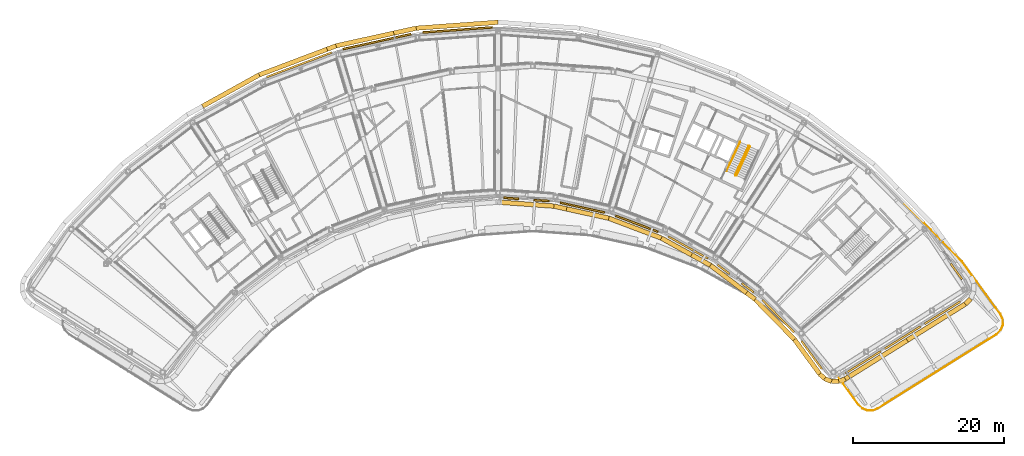
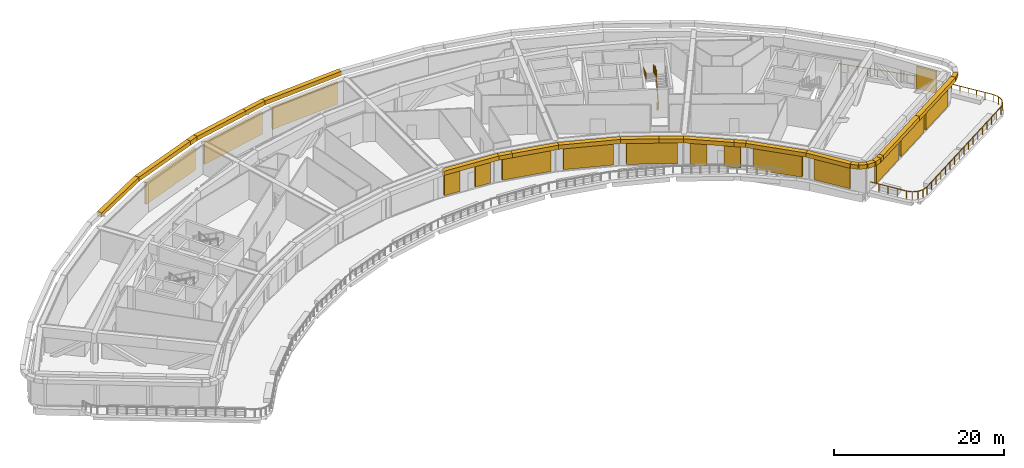
# One storey, part 21 of 24: 24 coverings, 16 shading devices, 3 railings.
"""IFC4 building model written with IfcOpenShell, lengths in metres."""

from ifc_helpers import new_model, si_unit, direction, frame, origin, origin_2d, place, context, subcontext, project, spatial, rectangle, circle, extrude, material, material_profile, profile_set, type_object, element, save


model = new_model("IFC4")

# Units and contexts
model_context = context("Model", 3, precision=1e-05, world=origin(), true_north=direction((0.0, 1.0)))
body_context = subcontext(model_context, "Body", "Model", "MODEL_VIEW")
ifc_project = project(units=[si_unit("LENGTHUNIT", "METRE"), si_unit("AREAUNIT", "SQUARE_METRE"), si_unit("VOLUMEUNIT", "CUBIC_METRE"), si_unit("PLANEANGLEUNIT", "RADIAN"), si_unit("MASSUNIT", "GRAM", prefix="KILO")], contexts=[model_context])

# Site, building, storey
site_placement = place(None, origin())
site = spatial("IfcSite", under=ifc_project, at=site_placement, CompositionType="ELEMENT")
building_placement = place(site_placement, origin())
building = spatial("IfcBuilding", under=site, at=building_placement, Name="Tuul Gate Civic Tower", CompositionType="ELEMENT")
storey_placement = place(building_placement, frame((0.0, 0.0, 315.199951171875)))
storey = spatial("IfcBuildingStorey", under=building, at=storey_placement, Name="Plant and refuge floor 7", CompositionType="ELEMENT", Elevation=315.199951171875)

# Shading devices
ifc_material_1 = material(Name="Aluminium louvre", Category="aluminium")
shading_device_type = type_object("IfcShadingDeviceType", Name="Louvre panel", PredefinedType="USERDEFINED", material=ifc_material_1)
for number, where, z_axis, x_axis, name in (
    (1, (-3.174072265625, 14.015625, 0.300048828125), (0.0, 0.0, 1.0), (-0.07223936563, 0.997387323989, 0.0), "Louvre panel"),
    (2, (-13.79443359375, 12.468994140625, 0.300048828125), (0.0, 0.0, 1.0), (-0.215215147882, 0.976566659334, 0.0), "Louvre panel"),
    (3, (-24.081298828125, 9.407958984375, 0.300048828125), (0.0, 0.0, 1.0), (-0.35373363489, 0.935346200905, 0.0), "Louvre panel"),
):
    element("IfcShadingDevice", number, at=place(storey_placement, frame(where, z_axis=z_axis, x_axis=x_axis)), inside=storey, type_object=shading_device_type, Name=name, ObjectType="LOUVRE", PredefinedType="USERDEFINED", context=body_context, shape_type="SweptSolid", body=[
        extrude(rectangle(XDim=0.25, YDim=9.199951171875, at=origin_2d()), origin(), (0.0, 0.0, 1.0), 3.14990234375),
    ])
for number, where, z_axis, x_axis, name in (
    (4, (3.93505859375, -8.230712890625, 0.300048828125), (0.0, 0.0, 1.0), (-0.072276176045, -0.997384657179, 0.0), "Louvre panel"),
    (5, (7.93798828125, -8.520751953125, 0.300048828125), (0.0, 0.0, 1.0), (-0.072276176045, -0.997384657179, 0.0), "Louvre panel"),
):
    element("IfcShadingDevice", number, at=place(storey_placement, frame(where, z_axis=z_axis, x_axis=x_axis)), inside=storey, type_object=shading_device_type, Name=name, ObjectType="LOUVRE", PredefinedType="USERDEFINED", context=body_context, shape_type="SweptSolid", body=[
        extrude(rectangle(XDim=0.25, YDim=2.0, at=origin_2d()), origin(), (0.0, 0.0, 1.0), 3.14990234375),
    ])
for number, where, z_axis, x_axis, name in (
    (6, (13.34716796875, -9.455078125, 0.300048828125), (0.0, 0.0, 1.0), (-0.215241961183, -0.976560749849, 0.0), "Louvre panel"),
    (7, (20.52490234375, -11.5908203125, 0.300048828125), (0.0, 0.0, 1.0), (-0.353684769481, -0.935364679597, 0.0), "Louvre panel"),
    (8, (27.31982421875, -14.73876953125, 0.300048828125), (0.0, 0.0, 1.0), (-0.48480794476, -0.874620635875, 0.0), "Louvre panel"),
):
    element("IfcShadingDevice", number, at=place(storey_placement, frame(where, z_axis=z_axis, x_axis=x_axis)), inside=storey, type_object=shading_device_type, Name=name, ObjectType="LOUVRE", PredefinedType="USERDEFINED", context=body_context, shape_type="SweptSolid", body=[
        extrude(rectangle(XDim=0.25, YDim=6.0, at=origin_2d()), origin(), (0.0, 0.0, 1.0), 3.14990234375),
    ])
for number, where, z_axis, x_axis, name in (
    (9, (31.993896484375, -17.61767578125, 0.300048828125), (0.0, 0.0, 1.0), (-0.605851052715, -0.795578092914, 0.0), "Louvre panel"),
    (10, (35.186767578125, -20.049072265625, 0.300048828125), (0.0, 0.0, 1.0), (-0.605851052715, -0.795578092914, 0.0), "Louvre panel"),
):
    element("IfcShadingDevice", number, at=place(storey_placement, frame(where, z_axis=z_axis, x_axis=x_axis)), inside=storey, type_object=shading_device_type, Name=name, ObjectType="LOUVRE", PredefinedType="USERDEFINED", context=body_context, shape_type="SweptSolid", body=[
        extrude(rectangle(XDim=0.25, YDim=2.0, at=origin_2d()), origin(), (0.0, 0.0, 1.0), 3.14990234375),
    ])
shading_device_1_placement = place(storey_placement, frame((39.205322265625, -23.78857421875, 0.300048828125), z_axis=(0.0, 0.0, 1.0), x_axis=(-0.714048093092, -0.700096651008, 0.0)))
element("IfcShadingDevice", 11, at=shading_device_1_placement, inside=storey, type_object=shading_device_type, Name="Louvre panel", ObjectType="LOUVRE", PredefinedType="USERDEFINED", context=body_context, shape_type="SweptSolid", body=[
    extrude(rectangle(XDim=0.25, YDim=6.0, at=origin_2d()), origin(), (0.0, 0.0, 1.0), 3.14990234375),
])
shading_device_2_placement = place(storey_placement, frame((43.628173828125, -28.927001953125, 0.300048828125), z_axis=(0.0, 0.0, 1.0), x_axis=(-0.807595190444, -0.589737236717, 0.0)))
element("IfcShadingDevice", 12, at=shading_device_2_placement, inside=storey, type_object=shading_device_type, Name="Louvre panel", ObjectType="LOUVRE", PredefinedType="USERDEFINED", context=body_context, shape_type="SweptSolid", body=[
    extrude(rectangle(XDim=0.25, YDim=4.60009765625, at=origin_2d()), origin(), (0.0, 0.0, 1.0), 3.14990234375),
])
for number, where, z_axis, x_axis, name in (
    (13, (50.427001953125, -29.90087890625, 0.300048828125), (0.0, 0.0, 1.0), (0.529911707044, -0.848052818366, 0.0), "Louvre panel"),
    (14, (55.670166015625, -26.62451171875, 0.300048828125), (0.0, 0.0, 1.0), (0.529911707044, -0.848052818366, 0.0), "Louvre panel"),
    (15, (60.91357421875, -23.34814453125, 0.300048828125), (0.0, 0.0, 1.0), (0.529911707044, -0.848052818366, 0.0), "Louvre panel"),
):
    element("IfcShadingDevice", number, at=place(storey_placement, frame(where, z_axis=z_axis, x_axis=x_axis)), inside=storey, type_object=shading_device_type, Name=name, ObjectType="LOUVRE", PredefinedType="USERDEFINED", context=body_context, shape_type="SweptSolid", body=[
        extrude(rectangle(XDim=0.25, YDim=5.550048828125, at=origin_2d()), origin(), (0.0, 0.0, 1.0), 3.14990234375),
    ])
shading_device_3_placement = place(storey_placement, frame((62.750244140625, -17.893310546875, 0.300048828125), z_axis=(0.0, 0.0, 1.0), x_axis=(-0.80757848712, -0.589760109825, 0.0)))
element("IfcShadingDevice", 16, at=shading_device_3_placement, inside=storey, type_object=shading_device_type, Name="Louvre panel", ObjectType="LOUVRE", PredefinedType="USERDEFINED", context=body_context, shape_type="SweptSolid", body=[
    extrude(rectangle(XDim=0.25, YDim=2.550048828125, at=origin_2d()), origin(), (0.0, 0.0, 1.0), 3.14990234375),
])

# Railings
ifc_material_2 = material(Name="Painted steel", Category="steel")
railing_type_1 = type_object("IfcRailingType", Name="Stair guard", PredefinedType="GUARDRAIL", material=ifc_material_2)
railing_1_placement = place(storey_placement, frame((33.645751953125, -5.238525390625, 0.0)))
element("IfcRailing", 17, at=railing_1_placement, inside=storey, type_object=railing_type_1, Name="Plant and refuge floor 7 ST-4 stair guard 1", PredefinedType="GUARDRAIL", context=body_context, shape_type="SweptSolid", body=[
    extrude(circle(Radius=0.02392578125, at=origin_2d()), frame((0.0, 0.0, 1.076171875), z_axis=(-0.906307919131, 0.422617978463, 0.0), x_axis=(-0.422617978463, -0.906307919131, 0.0)), (0.0, 0.0, 1.0), 0.099853515625),
    extrude(circle(Radius=0.02392578125, at=origin_2d()), frame((-0.090576171875, 0.042236328125, 1.076171875), z_axis=(0.720179819621, -0.082882280952, 0.688818956559), x_axis=(0.114330889033, 0.993442724979, 0.0)), (0.0, 0.0, 1.0), 0.218017578125),
    extrude(circle(Radius=0.02392578125, at=origin_2d()), frame((0.06640625, 0.024169921875, 1.22607421875), z_axis=(0.377979662676, 0.810654594284, 0.447180616049), x_axis=(-0.906322681284, 0.422586319455, 0.0)), (0.0, 0.0, 1.0), 4.69580078125),
    extrude(circle(Radius=0.02392578125, at=origin_2d()), frame((1.84130859375, 3.830810546875, 3.326171875), z_axis=(-0.342020437038, 0.939692513883, 0.0), x_axis=(-0.939692513883, -0.342020437038, 0.0)), (0.0, 0.0, 1.0), 0.070556640625),
    extrude(circle(Radius=0.02392578125, at=origin_2d()), frame((1.817138671875, 3.897216796875, 3.326171875), z_axis=(-0.906742786819, 0.421684145483, 0.0), x_axis=(-0.421684145483, -0.906742786819, 0.0)), (0.0, 0.0, 1.0), 0.10009765625),
    extrude(circle(Radius=0.02392578125, at=origin_2d()), frame((1.726318359375, 3.939453125, 3.326171875), z_axis=(-0.400168791901, -0.145649670582, 0.904793408159), x_axis=(0.342020437038, -0.939692513883, 0.0)), (0.0, 0.0, 1.0), 0.166015625),
    extrude(circle(Radius=0.02392578125, at=origin_2d()), frame((1.659912109375, 3.915283203125, 3.47607421875), z_axis=(-0.377935097645, -0.810670524484, 0.44718940361), x_axis=(0.906344943348, -0.422538570626, 0.0)), (0.0, 0.0, 1.0), 4.695556640625),
    extrude(circle(Radius=0.02099609375, at=origin_2d()), origin(), (0.0, 0.0, 1.0), 1.052001953125),
    extrude(circle(Radius=0.02099609375, at=origin_2d()), frame((-0.090576171875, 0.042236328125, 0.0)), (0.0, 0.0, 1.0), 1.052001953125),
    extrude(circle(Radius=0.02099609375, at=origin_2d()), frame((0.06640625, 0.024169921875, 0.150146484375)), (0.0, 0.0, 1.0), 1.052001953125),
    extrude(circle(Radius=0.02099609375, at=origin_2d()), frame((0.51025390625, 0.975830078125, 0.675048828125)), (0.0, 0.0, 1.0), 1.052001953125),
    extrude(circle(Radius=0.02099609375, at=origin_2d()), frame((0.953857421875, 1.927490234375, 1.2001953125)), (0.0, 0.0, 1.0), 1.052001953125),
    extrude(circle(Radius=0.02099609375, at=origin_2d()), frame((1.3974609375, 2.879150390625, 1.72509765625)), (0.0, 0.0, 1.0), 1.052001953125),
    extrude(circle(Radius=0.02099609375, at=origin_2d()), frame((1.84130859375, 3.830810546875, 2.25)), (0.0, 0.0, 1.0), 1.052001953125),
    extrude(circle(Radius=0.02099609375, at=origin_2d()), frame((1.817138671875, 3.897216796875, 2.25)), (0.0, 0.0, 1.0), 1.052001953125),
    extrude(circle(Radius=0.02099609375, at=origin_2d()), frame((1.726318359375, 3.939453125, 2.25)), (0.0, 0.0, 1.0), 1.052001953125),
    extrude(circle(Radius=0.02099609375, at=origin_2d()), frame((1.659912109375, 3.915283203125, 2.400146484375)), (0.0, 0.0, 1.0), 1.052001953125),
    extrude(circle(Radius=0.02099609375, at=origin_2d()), frame((1.21630859375, 2.963623046875, 2.925048828125)), (0.0, 0.0, 1.0), 1.052001953125),
    extrude(circle(Radius=0.02099609375, at=origin_2d()), frame((0.7724609375, 2.011962890625, 3.4501953125)), (0.0, 0.0, 1.0), 1.052001953125),
    extrude(circle(Radius=0.02099609375, at=origin_2d()), frame((0.328857421875, 1.060302734375, 3.97509765625)), (0.0, 0.0, 1.0), 1.052001953125),
    extrude(circle(Radius=0.02099609375, at=origin_2d()), frame((-0.11474609375, 0.108642578125, 4.5)), (0.0, 0.0, 1.0), 1.052001953125),
])
ifc_material_3 = material(Name="Painted steel", Category="steel")
railing_type_2 = type_object("IfcRailingType", Name="Stair handrail", PredefinedType="HANDRAIL", material=ifc_material_3)
railing_2_placement = place(storey_placement, frame((34.1728515625, -0.795166015625, 2.400146484375)))
element("IfcRailing", 18, at=railing_2_placement, inside=storey, type_object=railing_type_2, Name="Plant and refuge floor 7 ST-4 stair handrail 2", PredefinedType="HANDRAIL", context=body_context, shape_type="SweptSolid", body=[
    extrude(circle(Radius=0.02392578125, at=origin_2d()), frame((0.0, 0.0, 0.8759765625), z_axis=(-0.377995593999, -0.810636768368, 0.447199464097), x_axis=(0.906312300116, -0.422608583275, 0.0)), (0.0, 0.0, 1.0), 4.695556640625),
    extrude(circle(Radius=0.02099609375, at=origin_2d()), origin(), (0.0, 0.0, 1.0), 0.851806640625),
    extrude(circle(Radius=0.02099609375, at=origin_2d()), frame((-0.44384765625, -0.95166015625, 0.52490234375)), (0.0, 0.0, 1.0), 0.851806640625),
    extrude(circle(Radius=0.02099609375, at=origin_2d()), frame((-0.887451171875, -1.9033203125, 1.0498046875)), (0.0, 0.0, 1.0), 0.851806640625),
    extrude(circle(Radius=0.02099609375, at=origin_2d()), frame((-1.3310546875, -2.854736328125, 1.574951171875)), (0.0, 0.0, 1.0), 0.851806640625),
    extrude(circle(Radius=0.02099609375, at=origin_2d()), frame((-1.77490234375, -3.806396484375, 2.099853515625)), (0.0, 0.0, 1.0), 0.851806640625),
])
ifc_material_4 = material(Name="Stainless steel", Category="steel")
railing_type_3 = type_object("IfcRailingType", Name="Terrace guard", PredefinedType="GUARDRAIL", material=ifc_material_4)
railing_3_placement = place(storey_placement, frame((47.0771484375, -31.740966796875, 0.0)))
element("IfcRailing", 19, at=railing_3_placement, inside=storey, type_object=railing_type_3, Name="Guard", PredefinedType="GUARDRAIL", context=body_context, shape_type="SweptSolid", body=[
    extrude(circle(Radius=0.02392578125, at=origin_2d()), frame((0.0, 0.0, 1.076171875), z_axis=(0.589796673057, -0.807551784377, 0.0), x_axis=(0.807551784377, 0.589796673057, 0.0)), (0.0, 0.0, 1.0), 4.704345703125),
    extrude(circle(Radius=0.02392578125, at=origin_2d()), frame((2.774658203125, -3.799072265625, 1.076171875), z_axis=(0.730176325427, -0.68325876049, 0.0), x_axis=(0.68325876049, 0.730176325427, 0.0)), (0.0, 0.0, 1.0), 0.702392578125),
    extrude(circle(Radius=0.02392578125, at=origin_2d()), frame((3.28759765625, -4.279052734375, 1.076171875), z_axis=(0.929233590569, -0.36949280664, 0.0), x_axis=(0.36949280664, 0.929233590569, 0.0)), (0.0, 0.0, 1.0), 0.687744140625),
    extrude(circle(Radius=0.02392578125, at=origin_2d()), frame((3.9267578125, -4.533203125, 1.076171875), z_axis=(0.999992386922, -0.003902063234, 0.0), x_axis=(0.003902063234, 0.999992386922, 0.0)), (0.0, 0.0, 1.0), 0.688232421875),
    extrude(circle(Radius=0.02392578125, at=origin_2d()), frame((4.614990234375, -4.535888671875, 1.076171875), z_axis=(0.931560391115, 0.363586630263, 0.0), x_axis=(-0.363586630263, 0.931560391115, 0.0)), (0.0, 0.0, 1.0), 0.702392578125),
    extrude(circle(Radius=0.02392578125, at=origin_2d()), frame((5.269287109375, -4.280517578125, 1.076171875), z_axis=(0.848051625188, 0.52991361656, 0.0), x_axis=(-0.52991361656, 0.848051625188, 0.0)), (0.0, 0.0, 1.0), 18.51904296875),
    extrude(circle(Radius=0.02392578125, at=origin_2d()), frame((20.974365234375, 5.532958984375, 1.076171875), z_axis=(0.722793438789, 0.691064139457, 0.0), x_axis=(-0.691064139457, 0.722793438789, 0.0)), (0.0, 0.0, 1.0), 0.76953125),
    extrude(circle(Radius=0.02392578125, at=origin_2d()), frame((21.530517578125, 6.064697265625, 1.076171875), z_axis=(0.38470743495, 0.923038563384, 0.0), x_axis=(-0.923038563384, 0.38470743495, 0.0)), (0.0, 0.0, 1.0), 0.753173828125),
    extrude(circle(Radius=0.02392578125, at=origin_2d()), frame((21.8203125, 6.760009765625, 1.076171875), z_axis=(-0.014594617963, 0.999893492891, 0.0), x_axis=(-0.999893492891, -0.014594617963, 0.0)), (0.0, 0.0, 1.0), 0.752685546875),
    extrude(circle(Radius=0.02392578125, at=origin_2d()), frame((21.809326171875, 7.5126953125, 1.076171875), z_axis=(-0.411935592719, 0.911212964927, 0.0), x_axis=(-0.911212964927, -0.411935592719, 0.0)), (0.0, 0.0, 1.0), 0.768798828125),
    extrude(circle(Radius=0.02392578125, at=origin_2d()), frame((21.49267578125, 8.213134765625, 1.076171875), z_axis=(-0.589799899172, 0.80754942817, 0.0), x_axis=(-0.80754942817, -0.589799899172, 0.0)), (0.0, 0.0, 1.0), 8.58837890625),
    extrude(circle(Radius=0.02392578125, at=origin_2d()), frame((16.42724609375, 15.148681640625, 1.076171875), z_axis=(-0.700022151962, 0.714121128915, 0.0), x_axis=(-0.714121128915, -0.700022151962, 0.0)), (0.0, 0.0, 1.0), 10.75341796875),
    extrude(circle(Radius=0.02099609375, at=origin_2d()), origin(), (0.0, 0.0, 1.0), 1.052001953125),
    extrude(circle(Radius=0.02099609375, at=origin_2d()), frame((0.693603515625, -0.94970703125, 0.0)), (0.0, 0.0, 1.0), 1.052001953125),
    extrude(circle(Radius=0.02099609375, at=origin_2d()), frame((1.38720703125, -1.8994140625, 0.0)), (0.0, 0.0, 1.0), 1.052001953125),
    extrude(circle(Radius=0.02099609375, at=origin_2d()), frame((2.0810546875, -2.849365234375, 0.0)), (0.0, 0.0, 1.0), 1.052001953125),
    extrude(circle(Radius=0.02099609375, at=origin_2d()), frame((2.774658203125, -3.799072265625, 0.0)), (0.0, 0.0, 1.0), 1.052001953125),
    extrude(circle(Radius=0.02099609375, at=origin_2d()), frame((3.28759765625, -4.279052734375, 0.0)), (0.0, 0.0, 1.0), 1.052001953125),
    extrude(circle(Radius=0.02099609375, at=origin_2d()), frame((3.9267578125, -4.533203125, 0.0)), (0.0, 0.0, 1.0), 1.052001953125),
    extrude(circle(Radius=0.02099609375, at=origin_2d()), frame((4.614990234375, -4.535888671875, 0.0)), (0.0, 0.0, 1.0), 1.052001953125),
    extrude(circle(Radius=0.02099609375, at=origin_2d()), frame((5.269287109375, -4.280517578125, 0.0)), (0.0, 0.0, 1.0), 1.052001953125),
    extrude(circle(Radius=0.02099609375, at=origin_2d()), frame((6.2509765625, -3.667236328125, 0.0)), (0.0, 0.0, 1.0), 1.052001953125),
    extrude(circle(Radius=0.02099609375, at=origin_2d()), frame((7.232421875, -3.0537109375, 0.0)), (0.0, 0.0, 1.0), 1.052001953125),
    extrude(circle(Radius=0.02099609375, at=origin_2d()), frame((8.2138671875, -2.4404296875, 0.0)), (0.0, 0.0, 1.0), 1.052001953125),
    extrude(circle(Radius=0.02099609375, at=origin_2d()), frame((9.195556640625, -1.8271484375, 0.0)), (0.0, 0.0, 1.0), 1.052001953125),
    extrude(circle(Radius=0.02099609375, at=origin_2d()), frame((10.17724609375, -1.2138671875, 0.0)), (0.0, 0.0, 1.0), 1.052001953125),
    extrude(circle(Radius=0.02099609375, at=origin_2d()), frame((11.15869140625, -0.6005859375, 0.0)), (0.0, 0.0, 1.0), 1.052001953125),
    extrude(circle(Radius=0.02099609375, at=origin_2d()), frame((12.14013671875, 0.012939453125, 0.0)), (0.0, 0.0, 1.0), 1.052001953125),
    extrude(circle(Radius=0.02099609375, at=origin_2d()), frame((13.121826171875, 0.626220703125, 0.0)), (0.0, 0.0, 1.0), 1.052001953125),
    extrude(circle(Radius=0.02099609375, at=origin_2d()), frame((14.103515625, 1.239501953125, 0.0)), (0.0, 0.0, 1.0), 1.052001953125),
    extrude(circle(Radius=0.02099609375, at=origin_2d()), frame((15.0849609375, 1.85302734375, 0.0)), (0.0, 0.0, 1.0), 1.052001953125),
    extrude(circle(Radius=0.02099609375, at=origin_2d()), frame((16.06640625, 2.46630859375, 0.0)), (0.0, 0.0, 1.0), 1.052001953125),
    extrude(circle(Radius=0.02099609375, at=origin_2d()), frame((17.048095703125, 3.07958984375, 0.0)), (0.0, 0.0, 1.0), 1.052001953125),
    extrude(circle(Radius=0.02099609375, at=origin_2d()), frame((18.02978515625, 3.69287109375, 0.0)), (0.0, 0.0, 1.0), 1.052001953125),
    extrude(circle(Radius=0.02099609375, at=origin_2d()), frame((19.01123046875, 4.30615234375, 0.0)), (0.0, 0.0, 1.0), 1.052001953125),
    extrude(circle(Radius=0.02099609375, at=origin_2d()), frame((19.99267578125, 4.919677734375, 0.0)), (0.0, 0.0, 1.0), 1.052001953125),
    extrude(circle(Radius=0.02099609375, at=origin_2d()), frame((20.974365234375, 5.532958984375, 0.0)), (0.0, 0.0, 1.0), 1.052001953125),
    extrude(circle(Radius=0.02099609375, at=origin_2d()), frame((21.530517578125, 6.064697265625, 0.0)), (0.0, 0.0, 1.0), 1.052001953125),
    extrude(circle(Radius=0.02099609375, at=origin_2d()), frame((21.8203125, 6.760009765625, 0.0)), (0.0, 0.0, 1.0), 1.052001953125),
    extrude(circle(Radius=0.02099609375, at=origin_2d()), frame((21.809326171875, 7.5126953125, 0.0)), (0.0, 0.0, 1.0), 1.052001953125),
    extrude(circle(Radius=0.02099609375, at=origin_2d()), frame((21.49267578125, 8.213134765625, 0.0)), (0.0, 0.0, 1.0), 1.052001953125),
    extrude(circle(Radius=0.02099609375, at=origin_2d()), frame((20.859375, 9.080078125, 0.0)), (0.0, 0.0, 1.0), 1.052001953125),
    extrude(circle(Radius=0.02099609375, at=origin_2d()), frame((20.226318359375, 9.947021484375, 0.0)), (0.0, 0.0, 1.0), 1.052001953125),
    extrude(circle(Radius=0.02099609375, at=origin_2d()), frame((19.59326171875, 10.81396484375, 0.0)), (0.0, 0.0, 1.0), 1.052001953125),
    extrude(circle(Radius=0.02099609375, at=origin_2d()), frame((18.9599609375, 11.680908203125, 0.0)), (0.0, 0.0, 1.0), 1.052001953125),
    extrude(circle(Radius=0.02099609375, at=origin_2d()), frame((18.32666015625, 12.5478515625, 0.0)), (0.0, 0.0, 1.0), 1.052001953125),
    extrude(circle(Radius=0.02099609375, at=origin_2d()), frame((17.693603515625, 13.414794921875, 0.0)), (0.0, 0.0, 1.0), 1.052001953125),
    extrude(circle(Radius=0.02099609375, at=origin_2d()), frame((17.060546875, 14.28173828125, 0.0)), (0.0, 0.0, 1.0), 1.052001953125),
    extrude(circle(Radius=0.02099609375, at=origin_2d()), frame((16.42724609375, 15.148681640625, 0.0)), (0.0, 0.0, 1.0), 1.052001953125),
    extrude(circle(Radius=0.02099609375, at=origin_2d()), frame((15.5908203125, 16.001953125, 0.0)), (0.0, 0.0, 1.0), 1.052001953125),
    extrude(circle(Radius=0.02099609375, at=origin_2d()), frame((14.75439453125, 16.855224609375, 0.0)), (0.0, 0.0, 1.0), 1.052001953125),
    extrude(circle(Radius=0.02099609375, at=origin_2d()), frame((13.91796875, 17.70849609375, 0.0)), (0.0, 0.0, 1.0), 1.052001953125),
    extrude(circle(Radius=0.02099609375, at=origin_2d()), frame((13.08154296875, 18.561767578125, 0.0)), (0.0, 0.0, 1.0), 1.052001953125),
    extrude(circle(Radius=0.02099609375, at=origin_2d()), frame((12.245361328125, 19.414794921875, 0.0)), (0.0, 0.0, 1.0), 1.052001953125),
    extrude(circle(Radius=0.02099609375, at=origin_2d()), frame((11.408935546875, 20.26806640625, 0.0)), (0.0, 0.0, 1.0), 1.052001953125),
    extrude(circle(Radius=0.02099609375, at=origin_2d()), frame((10.572509765625, 21.121337890625, 0.0)), (0.0, 0.0, 1.0), 1.052001953125),
    extrude(circle(Radius=0.02099609375, at=origin_2d()), frame((9.736083984375, 21.974609375, 0.0)), (0.0, 0.0, 1.0), 1.052001953125),
    extrude(circle(Radius=0.02099609375, at=origin_2d()), frame((8.899658203125, 22.827880859375, 0.0)), (0.0, 0.0, 1.0), 1.052001953125),
])

# Coverings
ifc_material_5 = material(Name="Terracotta baguette", Category="masonry")
ifc_material_profile = material_profile(ifc_material_5, rectangle(XDim=0.60009765625, YDim=0.60009765625, at=origin_2d()), Name="Terracotta baguette screen frame")
ifc_profile_set = profile_set([ifc_material_profile], Name="Terracotta baguette")
covering_type = type_object("IfcCoveringType", Name="Terracotta baguette screen frame", PredefinedType="CLADDING", material=ifc_profile_set)
covering_1_placement = place(storey_placement, frame((-11.58642578125, 13.595703125, 4.150146484375), z_axis=(-0.976562944913, -0.215232001854, 0.0), x_axis=(0.215232001854, -0.976562944913, 0.0)))
element("IfcCovering", 20, at=covering_1_placement, inside=storey, type_object=covering_type, Name="Baguette 87", PredefinedType="CLADDING", context=body_context, shape_type="SweptSolid", body=[
    extrude(rectangle(XDim=0.60009765625, YDim=0.60009765625, at=origin_2d()), origin(), (0.0, 0.0, 1.0), 7.824462890625),
])
covering_2_placement = place(storey_placement, frame((-19.2275390625, 11.91162109375, 4.150146484375), z_axis=(-0.935377216665, -0.353651611821, 0.0), x_axis=(0.353651611821, -0.935377216665, 0.0)))
element("IfcCovering", 21, at=covering_2_placement, inside=storey, type_object=covering_type, Name="Baguette 88", PredefinedType="CLADDING", context=body_context, shape_type="SweptSolid", body=[
    extrude(rectangle(XDim=0.60009765625, YDim=0.60009765625, at=origin_2d()), origin(), (0.0, 0.0, 1.0), 1.248046875),
])
covering_3_placement = place(storey_placement, frame((2.453857421875, -8.75, 4.150146484375), z_axis=(0.997385437558, -0.072265406293, 0.0), x_axis=(0.072265406293, 0.997385437558, 0.0)))
element("IfcCovering", 22, at=covering_3_placement, inside=storey, type_object=covering_type, Name="Baguette 220", PredefinedType="CLADDING", context=body_context, shape_type="SweptSolid", body=[
    extrude(rectangle(XDim=0.60009765625, YDim=0.60009765625, at=origin_2d()), origin(), (0.0, 0.0, 1.0), 7.155517578125),
])
covering_4_placement = place(storey_placement, frame((9.590576171875, -9.26708984375, 4.150146484375), z_axis=(0.976551365634, -0.215284533302, 0.0), x_axis=(0.215284533302, 0.976551365634, 0.0)))
element("IfcCovering", 23, at=covering_4_placement, inside=storey, type_object=covering_type, Name="Baguette 221", PredefinedType="CLADDING", context=body_context, shape_type="SweptSolid", body=[
    extrude(rectangle(XDim=0.60009765625, YDim=0.60009765625, at=origin_2d()), origin(), (0.0, 0.0, 1.0), 1.696533203125),
])
covering_5_placement = place(storey_placement, frame((27.765380859375, -15.700439453125, 4.150146484375), z_axis=(0.874661324185, -0.484734533507, 0.0), x_axis=(0.484734533507, 0.874661324185, 0.0)))
element("IfcCovering", 24, at=covering_5_placement, inside=storey, type_object=covering_type, Name="Baguette 240", PredefinedType="CLADDING", context=body_context, shape_type="SweptSolid", body=[
    extrude(rectangle(XDim=0.60009765625, YDim=0.60009765625, at=origin_2d()), origin(), (0.0, 0.0, 1.0), 2.853271484375),
])
covering_6_placement = place(storey_placement, frame((30.260986328125, -17.08349609375, 4.150146484375), z_axis=(0.795563429455, -0.605870307668, 0.0), x_axis=(0.605870307668, 0.795563429455, 0.0)))
element("IfcCovering", 25, at=covering_6_placement, inside=storey, type_object=covering_type, Name="Baguette 241", PredefinedType="CLADDING", context=body_context, shape_type="SweptSolid", body=[
    extrude(rectangle(XDim=0.60009765625, YDim=0.60009765625, at=origin_2d()), origin(), (0.0, 0.0, 1.0), 5.998779296875),
])
covering_7_placement = place(storey_placement, frame((48.576904296875, -31.793701171875, 4.150146484375), z_axis=(0.848051326016, 0.529914095342, 0.0), x_axis=(-0.529914095342, 0.848051326016, 0.0)))
element("IfcCovering", 26, at=covering_7_placement, inside=storey, type_object=covering_type, Name="Baguette 282", PredefinedType="CLADDING", context=body_context, shape_type="SweptSolid", body=[
    extrude(rectangle(XDim=0.60009765625, YDim=0.60009765625, at=origin_2d()), origin(), (0.0, 0.0, 1.0), 9.052978515625),
])
covering_8_placement = place(storey_placement, frame((2.19189453125, 15.031005859375, 4.150146484375), z_axis=(-0.99738669964, -0.072247985304, 0.0), x_axis=(0.072247985304, -0.99738669964, 0.0)))
element("IfcCovering", 27, at=covering_8_placement, inside=storey, type_object=covering_type, Name="Baguette 387", PredefinedType="CLADDING", context=body_context, shape_type="SweptSolid", body=[
    extrude(rectangle(XDim=0.60009765625, YDim=0.60009765625, at=origin_2d()), origin(), (0.0, 0.0, 1.0), 10.8505859375),
])
covering_9_placement = place(storey_placement, frame((-8.63037109375, 14.2470703125, 4.150146484375), z_axis=(-0.976572650376, -0.215187960952, 0.0), x_axis=(0.215187960952, -0.976572650376, 0.0)))
element("IfcCovering", 28, at=covering_9_placement, inside=storey, type_object=covering_type, Name="Baguette 388", PredefinedType="CLADDING", context=body_context, shape_type="SweptSolid", body=[
    extrude(rectangle(XDim=0.60009765625, YDim=0.60009765625, at=origin_2d()), origin(), (0.0, 0.0, 1.0), 3.02685546875),
])
covering_10_placement = place(storey_placement, frame((-20.39501953125, 11.47021484375, 4.150146484375), z_axis=(-0.935344466334, -0.353738221428, 0.0), x_axis=(0.353738221428, -0.935344466334, 0.0)))
element("IfcCovering", 29, at=covering_10_placement, inside=storey, type_object=covering_type, Name="Baguette 389", PredefinedType="CLADDING", context=body_context, shape_type="SweptSolid", body=[
    extrude(rectangle(XDim=0.60009765625, YDim=0.60009765625, at=origin_2d()), origin(), (0.0, 0.0, 1.0), 9.60302734375),
])
covering_11_placement = place(storey_placement, frame((-29.377197265625, 8.0732421875, 4.150146484375), z_axis=(-0.874636810564, -0.484778763569, 0.0), x_axis=(0.484778763569, -0.874636810564, 0.0)))
element("IfcCovering", 30, at=covering_11_placement, inside=storey, type_object=covering_type, Name="Baguette 390", PredefinedType="CLADDING", context=body_context, shape_type="SweptSolid", body=[
    extrude(rectangle(XDim=0.60009765625, YDim=0.60009765625, at=origin_2d()), origin(), (0.0, 0.0, 1.0), 8.541748046875),
])
covering_12_placement = place(storey_placement, frame((11.247314453125, -9.63232421875, 4.150146484375), z_axis=(0.976561115954, -0.215240300147, 0.0), x_axis=(0.215240300147, 0.976561115954, 0.0)))
element("IfcCovering", 31, at=covering_12_placement, inside=storey, type_object=covering_type, Name="Baguette 402", PredefinedType="CLADDING", context=body_context, shape_type="SweptSolid", body=[
    extrude(rectangle(XDim=0.60009765625, YDim=0.60009765625, at=origin_2d()), origin(), (0.0, 0.0, 1.0), 5.72119140625),
])
covering_13_placement = place(storey_placement, frame((16.83447265625, -10.86376953125, 4.150146484375), z_axis=(0.935368082117, -0.353675770951, 0.0), x_axis=(0.353675770951, 0.935368082117, 0.0)))
element("IfcCovering", 32, at=covering_13_placement, inside=storey, type_object=covering_type, Name="Baguette 403", PredefinedType="CLADDING", context=body_context, shape_type="SweptSolid", body=[
    extrude(rectangle(XDim=0.60009765625, YDim=0.60009765625, at=origin_2d()), origin(), (0.0, 0.0, 1.0), 7.41796875),
])
covering_14_placement = place(storey_placement, frame((23.77294921875, -13.4873046875, 4.150146484375), z_axis=(0.874610996731, -0.484825333906, 0.0), x_axis=(0.484825333906, 0.874610996731, 0.0)))
element("IfcCovering", 33, at=covering_14_placement, inside=storey, type_object=covering_type, Name="Baguette 404", PredefinedType="CLADDING", context=body_context, shape_type="SweptSolid", body=[
    extrude(rectangle(XDim=0.60009765625, YDim=0.60009765625, at=origin_2d()), origin(), (0.0, 0.0, 1.0), 4.564697265625),
])
covering_15_placement = place(storey_placement, frame((35.033447265625, -20.718017578125, 4.150146484375), z_axis=(0.795518596376, -0.605929173105, 0.0), x_axis=(0.605929173105, 0.795518596376, 0.0)))
element("IfcCovering", 34, at=covering_15_placement, inside=storey, type_object=covering_type, Name="Baguette 405", PredefinedType="CLADDING", context=body_context, shape_type="SweptSolid", body=[
    extrude(rectangle(XDim=0.60009765625, YDim=0.60009765625, at=origin_2d()), origin(), (0.0, 0.0, 1.0), 1.419189453125),
])
covering_16_placement = place(storey_placement, frame((36.162353515625, -21.577880859375, 4.150146484375), z_axis=(0.70011122783, -0.714033800787, 0.0), x_axis=(0.714033800787, 0.70011122783, 0.0)))
element("IfcCovering", 35, at=covering_16_placement, inside=storey, type_object=covering_type, Name="Baguette 406", PredefinedType="CLADDING", context=body_context, shape_type="SweptSolid", body=[
    extrude(rectangle(XDim=0.60009765625, YDim=0.60009765625, at=origin_2d()), origin(), (0.0, 0.0, 1.0), 7.41748046875),
])
covering_17_placement = place(storey_placement, frame((41.35546875, -26.874267578125, 4.150146484375), z_axis=(0.589729447422, -0.807600878432, 0.0), x_axis=(0.807600878432, 0.589729447422, 0.0)))
element("IfcCovering", 36, at=covering_17_placement, inside=storey, type_object=covering_type, Name="Baguette 407", PredefinedType="CLADDING", context=body_context, shape_type="SweptSolid", body=[
    extrude(rectangle(XDim=0.60009765625, YDim=0.60009765625, at=origin_2d()), origin(), (0.0, 0.0, 1.0), 5.671142578125),
])
covering_18_placement = place(storey_placement, frame((44.699951171875, -31.454345703125, 4.150146484375), z_axis=(0.730018523193, -0.68342735956, 0.0), x_axis=(0.68342735956, 0.730018523193, 0.0)))
element("IfcCovering", 37, at=covering_18_placement, inside=storey, type_object=covering_type, Name="Baguette 408", PredefinedType="CLADDING", context=body_context, shape_type="SweptSolid", body=[
    extrude(rectangle(XDim=0.60009765625, YDim=0.60009765625, at=origin_2d()), origin(), (0.0, 0.0, 1.0), 0.9013671875),
])
covering_19_placement = place(storey_placement, frame((45.35791015625, -32.0703125, 4.150146484375), z_axis=(0.929097482407, -0.369834920181, 0.0), x_axis=(0.369834920181, 0.929097482407, 0.0)))
element("IfcCovering", 38, at=covering_19_placement, inside=storey, type_object=covering_type, Name="Baguette 409", PredefinedType="CLADDING", context=body_context, shape_type="SweptSolid", body=[
    extrude(rectangle(XDim=0.60009765625, YDim=0.60009765625, at=origin_2d()), origin(), (0.0, 0.0, 1.0), 0.974365234375),
])
covering_20_placement = place(storey_placement, frame((46.26318359375, -32.4306640625, 4.150146484375), z_axis=(0.999996195982, -0.002758264332, 0.0), x_axis=(0.002758264332, 0.999996195982, 0.0)))
element("IfcCovering", 39, at=covering_20_placement, inside=storey, type_object=covering_type, Name="Baguette 410", PredefinedType="CLADDING", context=body_context, shape_type="SweptSolid", body=[
    extrude(rectangle(XDim=0.60009765625, YDim=0.60009765625, at=origin_2d()), origin(), (0.0, 0.0, 1.0), 0.9736328125),
])
covering_21_placement = place(storey_placement, frame((47.23681640625, -32.433349609375, 4.150146484375), z_axis=(0.931801188997, 0.362969067807, 0.0), x_axis=(-0.362969067807, 0.931801188997, 0.0)))
element("IfcCovering", 40, at=covering_21_placement, inside=storey, type_object=covering_type, Name="Baguette 411", PredefinedType="CLADDING", context=body_context, shape_type="SweptSolid", body=[
    extrude(rectangle(XDim=0.60009765625, YDim=0.60009765625, at=origin_2d()), origin(), (0.0, 0.0, 1.0), 0.9013671875),
])
covering_22_placement = place(storey_placement, frame((48.07666015625, -32.106201171875, 4.150146484375), z_axis=(0.848114552231, 0.52981289744, 0.0), x_axis=(-0.52981289744, 0.848114552231, 0.0)))
element("IfcCovering", 41, at=covering_22_placement, inside=storey, type_object=covering_type, Name="Baguette 412", PredefinedType="CLADDING", context=body_context, shape_type="SweptSolid", body=[
    extrude(rectangle(XDim=0.60009765625, YDim=0.60009765625, at=origin_2d()), origin(), (0.0, 0.0, 1.0), 0.58984375),
])
covering_23_placement = place(storey_placement, frame((56.25439453125, -26.996337890625, 4.150146484375), z_axis=(0.848063445072, 0.529894700042, 0.0), x_axis=(-0.529894700042, 0.848063445072, 0.0)))
element("IfcCovering", 42, at=covering_23_placement, inside=storey, type_object=covering_type, Name="Baguette 413", PredefinedType="CLADDING", context=body_context, shape_type="SweptSolid", body=[
    extrude(rectangle(XDim=0.60009765625, YDim=0.60009765625, at=origin_2d()), origin(), (0.0, 0.0, 1.0), 9.052978515625),
])
covering_24_placement = place(storey_placement, frame((63.931884765625, -22.19921875, 4.150146484375), z_axis=(0.722132123325, 0.691755156441, 0.0), x_axis=(-0.691755156441, 0.722132123325, 0.0)))
element("IfcCovering", 43, at=covering_24_placement, inside=storey, type_object=covering_type, Name="Baguette 414", PredefinedType="CLADDING", context=body_context, shape_type="SweptSolid", body=[
    extrude(rectangle(XDim=0.60009765625, YDim=0.60009765625, at=origin_2d()), origin(), (0.0, 0.0, 1.0), 0.988525390625),
])

save(model, "model.ifc")
